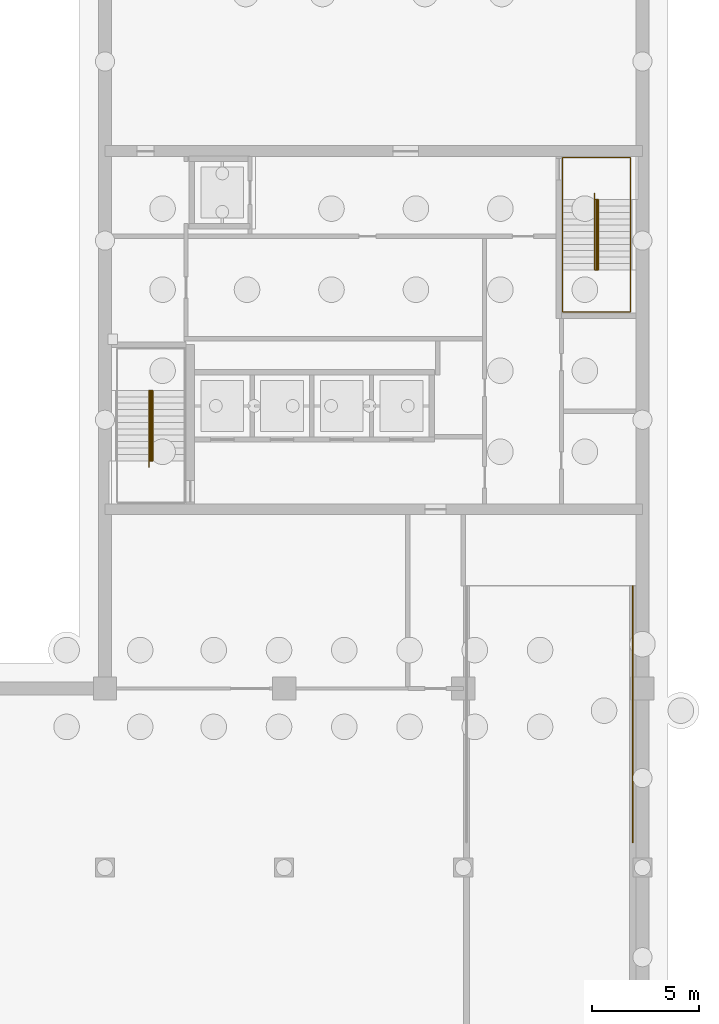
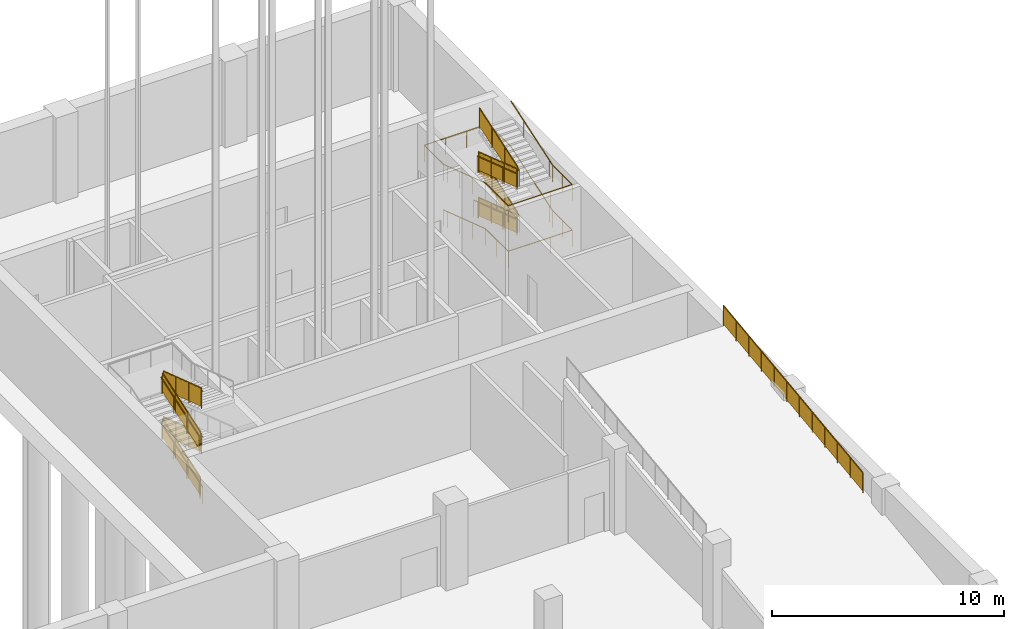
# One storey, part 24 of 26: 12 railings.
"""IFC4 building model written with IfcOpenShell, lengths in metres."""

from ifc_helpers import new_model, si_unit, direction, frame, origin, origin_2d, place, context, subcontext, project, spatial, polyline, circle, outline, extrude, material, type_object, element, save


model = new_model("IFC4")

# Units and contexts
model_context = context("Model", 3, precision=1e-05, world=origin(), true_north=direction((0.0, 1.0)))
body_context = subcontext(model_context, "Body", "Model", "MODEL_VIEW")
ifc_project = project(units=[si_unit("LENGTHUNIT", "METRE"), si_unit("AREAUNIT", "SQUARE_METRE"), si_unit("VOLUMEUNIT", "CUBIC_METRE"), si_unit("PLANEANGLEUNIT", "RADIAN"), si_unit("MASSUNIT", "GRAM", prefix="KILO")], contexts=[model_context])

# Site, building, storey
site_placement = place(None, origin())
site = spatial("IfcSite", under=ifc_project, at=site_placement, CompositionType="ELEMENT")
building_placement = place(site_placement, origin())
building = spatial("IfcBuilding", under=site, at=building_placement, Name="Rulbaag Community and Learning Centre", CompositionType="ELEMENT")
storey_placement = place(building_placement, frame((0.0, 0.0, -9.60009765625)))
storey = spatial("IfcBuildingStorey", under=building, at=storey_placement, Name="B2", CompositionType="ELEMENT", Elevation=-9.60009765625)

# Railings
ifc_material_1 = material(Name="Galvanised mild steel", Category="steel")
railing_type_1 = type_object("IfcRailingType", Name="GR-1100 GUARD 1100", PredefinedType="GUARDRAIL", material=ifc_material_1)
railing_1_placement = place(storey_placement, frame((144.929931640625, 94.675048828125, 0.10009765625)))
element("IfcRailing", 1, at=railing_1_placement, inside=storey, type_object=railing_type_1, Name="Guard ST1 B2 G", PredefinedType="GUARDRAIL", context=body_context, shape_type="SweptSolid", body=[
    extrude(circle(Radius=0.02490234375, at=origin_2d()), frame((0.0, 0.0, 1.0751953125), z_axis=(0.0, 0.948676279423, 0.31624882112), x_axis=(-1.0, 0.0, 0.0)), (0.0, 0.0, 1.0), 3.478515625),
    extrude(circle(Radius=0.02001953125, at=origin_2d()), origin(), (0.0, 0.0, 1.0), 1.050048828125),
    extrude(circle(Radius=0.02001953125, at=origin_2d()), frame((0.0, 1.10009765625, 0.36669921875)), (0.0, 0.0, 1.0), 1.050048828125),
    extrude(circle(Radius=0.02001953125, at=origin_2d()), frame((0.0, 2.199951171875, 0.7333984375)), (0.0, 0.0, 1.0), 1.050048828125),
    extrude(circle(Radius=0.02001953125, at=origin_2d()), frame((0.0, 3.300048828125, 1.10009765625)), (0.0, 0.0, 1.0), 1.050048828125),
    extrude(outline(polyline([(0.0, 0.0), (3.300048828125, 1.10009765625), (3.300048828125, 2.050048828125), (0.0, 0.949951171875), (0.0, 0.0)])), frame((-0.0048828125, 0.0, 0.10009765625), z_axis=(1.0, 0.0, 0.0), x_axis=(0.0, 1.0, 0.0)), (0.0, 0.0, 1.0), 0.010009765625),
])
railing_2_placement = place(storey_placement, frame((144.969970703125, 97.97509765625, 1.300048828125)))
element("IfcRailing", 2, at=railing_2_placement, inside=storey, type_object=railing_type_1, Name="Guard ST1 B2 G2", PredefinedType="GUARDRAIL", context=body_context, shape_type="SweptSolid", body=[
    extrude(circle(Radius=0.02490234375, at=origin_2d()), frame((0.0, 0.0, 1.0751953125), z_axis=(0.0, -0.948676279423, 0.31624882112), x_axis=(1.0, 0.0, 0.0)), (0.0, 0.0, 1.0), 3.478515625),
    extrude(circle(Radius=0.02001953125, at=origin_2d()), origin(), (0.0, 0.0, 1.0), 1.050048828125),
    extrude(circle(Radius=0.02001953125, at=origin_2d()), frame((0.0, -1.10009765625, 0.36669921875)), (0.0, 0.0, 1.0), 1.050048828125),
    extrude(circle(Radius=0.02001953125, at=origin_2d()), frame((0.0, -2.199951171875, 0.7333984375)), (0.0, 0.0, 1.0), 1.050048828125),
    extrude(circle(Radius=0.02001953125, at=origin_2d()), frame((0.0, -3.300048828125, 1.10009765625)), (0.0, 0.0, 1.0), 1.050048828125),
    extrude(outline(polyline([(0.0, 0.0), (3.300048828125, 1.10009765625), (3.300048828125, 2.050048828125), (0.0, 0.949951171875), (0.0, 0.0)])), frame((0.0048828125, 0.0, 0.10009765625), z_axis=(-1.0, 0.0, 0.0), x_axis=(0.0, -1.0, 0.0)), (0.0, 0.0, 1.0), 0.010009765625),
])
railing_3_placement = place(storey_placement, frame((144.929931640625, 94.675048828125, 2.5)))
element("IfcRailing", 3, at=railing_3_placement, inside=storey, type_object=railing_type_1, Name="Guard ST1 B2 G3", PredefinedType="GUARDRAIL", context=body_context, shape_type="SweptSolid", body=[
    extrude(circle(Radius=0.02490234375, at=origin_2d()), frame((0.0, 0.0, 1.0751953125), z_axis=(0.0, 0.948676279423, 0.31624882112), x_axis=(-1.0, 0.0, 0.0)), (0.0, 0.0, 1.0), 3.478515625),
    extrude(circle(Radius=0.02001953125, at=origin_2d()), origin(), (0.0, 0.0, 1.0), 1.050048828125),
    extrude(circle(Radius=0.02001953125, at=origin_2d()), frame((0.0, 1.10009765625, 0.36669921875)), (0.0, 0.0, 1.0), 1.050048828125),
    extrude(circle(Radius=0.02001953125, at=origin_2d()), frame((0.0, 2.199951171875, 0.7333984375)), (0.0, 0.0, 1.0), 1.050048828125),
    extrude(circle(Radius=0.02001953125, at=origin_2d()), frame((0.0, 3.300048828125, 1.10009765625)), (0.0, 0.0, 1.0), 1.050048828125),
    extrude(outline(polyline([(0.0, 0.0), (3.300048828125, 1.10009765625), (3.300048828125, 2.050048828125), (0.0, 0.949951171875), (0.0, 0.0)])), frame((-0.0048828125, 0.0, 0.10009765625), z_axis=(1.0, 0.0, 0.0), x_axis=(0.0, 1.0, 0.0)), (0.0, 0.0, 1.0), 0.010009765625),
])
railing_4_placement = place(storey_placement, frame((144.969970703125, 97.97509765625, 3.7001953125)))
element("IfcRailing", 4, at=railing_4_placement, inside=storey, type_object=railing_type_1, Name="Guard ST1 B2 G4", PredefinedType="GUARDRAIL", context=body_context, shape_type="SweptSolid", body=[
    extrude(circle(Radius=0.02490234375, at=origin_2d()), frame((0.0, 0.0, 1.0751953125), z_axis=(0.0, -0.948697334215, 0.316185654408), x_axis=(1.0, 0.0, 0.0)), (0.0, 0.0, 1.0), 3.478515625),
    extrude(circle(Radius=0.02001953125, at=origin_2d()), origin(), (0.0, 0.0, 1.0), 1.050048828125),
    extrude(circle(Radius=0.02001953125, at=origin_2d()), frame((0.0, -1.10009765625, 0.36669921875)), (0.0, 0.0, 1.0), 1.050048828125),
    extrude(circle(Radius=0.02001953125, at=origin_2d()), frame((0.0, -2.199951171875, 0.733154296875)), (0.0, 0.0, 1.0), 1.050048828125),
    extrude(circle(Radius=0.02001953125, at=origin_2d()), frame((0.0, -3.300048828125, 1.099853515625)), (0.0, 0.0, 1.0), 1.050048828125),
    extrude(outline(polyline([(0.0, 0.0), (3.300048828125, 1.099853515625), (3.300048828125, 2.0498046875), (0.0, 0.949951171875), (0.0, 0.0)])), frame((0.0048828125, 0.0, 0.10009765625), z_axis=(-1.0, 0.0, 0.0), x_axis=(0.0, -1.0, 0.0)), (0.0, 0.0, 1.0), 0.010009765625),
])
railing_5_placement = place(storey_placement, frame((165.830078125, 106.925048828125, 0.10009765625)))
element("IfcRailing", 5, at=railing_5_placement, inside=storey, type_object=railing_type_1, Name="Guard ST2 B2 G", PredefinedType="GUARDRAIL", context=body_context, shape_type="SweptSolid", body=[
    extrude(circle(Radius=0.02490234375, at=origin_2d()), frame((0.0, 0.0, 1.0751953125), z_axis=(0.0, -0.948676279423, 0.31624882112), x_axis=(1.0, 0.0, 0.0)), (0.0, 0.0, 1.0), 3.478515625),
    extrude(circle(Radius=0.02001953125, at=origin_2d()), origin(), (0.0, 0.0, 1.0), 1.050048828125),
    extrude(circle(Radius=0.02001953125, at=origin_2d()), frame((0.0, -1.10009765625, 0.36669921875)), (0.0, 0.0, 1.0), 1.050048828125),
    extrude(circle(Radius=0.02001953125, at=origin_2d()), frame((0.0, -2.199951171875, 0.7333984375)), (0.0, 0.0, 1.0), 1.050048828125),
    extrude(circle(Radius=0.02001953125, at=origin_2d()), frame((0.0, -3.300048828125, 1.10009765625)), (0.0, 0.0, 1.0), 1.050048828125),
    extrude(outline(polyline([(0.0, 0.0), (3.300048828125, 1.10009765625), (3.300048828125, 2.050048828125), (0.0, 0.949951171875), (0.0, 0.0)])), frame((0.0048828125, 0.0, 0.10009765625), z_axis=(-1.0, 0.0, 0.0), x_axis=(0.0, -1.0, 0.0)), (0.0, 0.0, 1.0), 0.010009765625),
])
railing_6_placement = place(storey_placement, frame((165.8701171875, 103.625, 1.300048828125)))
element("IfcRailing", 6, at=railing_6_placement, inside=storey, type_object=railing_type_1, Name="Guard ST2 B2 G2", PredefinedType="GUARDRAIL", context=body_context, shape_type="SweptSolid", body=[
    extrude(circle(Radius=0.02490234375, at=origin_2d()), frame((0.0, 0.0, 1.0751953125), z_axis=(0.0, 0.948676279423, 0.31624882112), x_axis=(-1.0, 0.0, 0.0)), (0.0, 0.0, 1.0), 3.478515625),
    extrude(circle(Radius=0.02001953125, at=origin_2d()), origin(), (0.0, 0.0, 1.0), 1.050048828125),
    extrude(circle(Radius=0.02001953125, at=origin_2d()), frame((0.0, 1.10009765625, 0.36669921875)), (0.0, 0.0, 1.0), 1.050048828125),
    extrude(circle(Radius=0.02001953125, at=origin_2d()), frame((0.0, 2.199951171875, 0.7333984375)), (0.0, 0.0, 1.0), 1.050048828125),
    extrude(circle(Radius=0.02001953125, at=origin_2d()), frame((0.0, 3.300048828125, 1.10009765625)), (0.0, 0.0, 1.0), 1.050048828125),
    extrude(outline(polyline([(0.0, 0.0), (3.300048828125, 1.10009765625), (3.300048828125, 2.050048828125), (0.0, 0.949951171875), (0.0, 0.0)])), frame((-0.0048828125, 0.0, 0.10009765625), z_axis=(1.0, 0.0, 0.0), x_axis=(0.0, 1.0, 0.0)), (0.0, 0.0, 1.0), 0.010009765625),
])
railing_7_placement = place(storey_placement, frame((165.830078125, 106.925048828125, 2.5)))
element("IfcRailing", 7, at=railing_7_placement, inside=storey, type_object=railing_type_1, Name="Guard ST2 B2 G3", PredefinedType="GUARDRAIL", context=body_context, shape_type="SweptSolid", body=[
    extrude(circle(Radius=0.02490234375, at=origin_2d()), frame((0.0, 0.0, 1.0751953125), z_axis=(0.0, -0.948676279423, 0.31624882112), x_axis=(1.0, 0.0, 0.0)), (0.0, 0.0, 1.0), 3.478515625),
    extrude(circle(Radius=0.02001953125, at=origin_2d()), origin(), (0.0, 0.0, 1.0), 1.050048828125),
    extrude(circle(Radius=0.02001953125, at=origin_2d()), frame((0.0, -1.10009765625, 0.36669921875)), (0.0, 0.0, 1.0), 1.050048828125),
    extrude(circle(Radius=0.02001953125, at=origin_2d()), frame((0.0, -2.199951171875, 0.7333984375)), (0.0, 0.0, 1.0), 1.050048828125),
    extrude(circle(Radius=0.02001953125, at=origin_2d()), frame((0.0, -3.300048828125, 1.10009765625)), (0.0, 0.0, 1.0), 1.050048828125),
    extrude(outline(polyline([(0.0, 0.0), (3.300048828125, 1.10009765625), (3.300048828125, 2.050048828125), (0.0, 0.949951171875), (0.0, 0.0)])), frame((0.0048828125, 0.0, 0.10009765625), z_axis=(-1.0, 0.0, 0.0), x_axis=(0.0, -1.0, 0.0)), (0.0, 0.0, 1.0), 0.010009765625),
])
railing_8_placement = place(storey_placement, frame((165.8701171875, 103.625, 3.7001953125)))
element("IfcRailing", 8, at=railing_8_placement, inside=storey, type_object=railing_type_1, Name="Guard ST2 B2 G4", PredefinedType="GUARDRAIL", context=body_context, shape_type="SweptSolid", body=[
    extrude(circle(Radius=0.02490234375, at=origin_2d()), frame((0.0, 0.0, 1.0751953125), z_axis=(0.0, 0.948697334215, 0.316185654408), x_axis=(-1.0, 0.0, 0.0)), (0.0, 0.0, 1.0), 3.478515625),
    extrude(circle(Radius=0.02001953125, at=origin_2d()), origin(), (0.0, 0.0, 1.0), 1.050048828125),
    extrude(circle(Radius=0.02001953125, at=origin_2d()), frame((0.0, 1.10009765625, 0.36669921875)), (0.0, 0.0, 1.0), 1.050048828125),
    extrude(circle(Radius=0.02001953125, at=origin_2d()), frame((0.0, 2.199951171875, 0.733154296875)), (0.0, 0.0, 1.0), 1.050048828125),
    extrude(circle(Radius=0.02001953125, at=origin_2d()), frame((0.0, 3.300048828125, 1.099853515625)), (0.0, 0.0, 1.0), 1.050048828125),
    extrude(outline(polyline([(0.0, 0.0), (3.300048828125, 1.099853515625), (3.300048828125, 2.0498046875), (0.0, 0.949951171875), (0.0, 0.0)])), frame((-0.0048828125, 0.0, 0.10009765625), z_axis=(1.0, 0.0, 0.0), x_axis=(0.0, 1.0, 0.0)), (0.0, 0.0, 1.0), 0.010009765625),
])
ifc_material_2 = material(Name="Stainless steel grade 316", Category="steel")
railing_type_2 = type_object("IfcRailingType", Name="HR-900 HANDRAIL 900", PredefinedType="HANDRAIL", material=ifc_material_2)
railing_9_placement = place(storey_placement, frame((144.860107421875, 94.375, 0.0)))
element("IfcRailing", 9, at=railing_9_placement, inside=storey, type_object=railing_type_2, Name="Handrail ST1 B2 I", PredefinedType="HANDRAIL", context=body_context, shape_type="SweptSolid", body=[
    extrude(circle(Radius=0.024169921875, at=origin_2d()), frame((0.0, 0.0, 0.875732421875), z_axis=(0.0, 0.948606084593, 0.316459312191), x_axis=(-1.0, 0.0, 0.0)), (0.0, 0.0, 1.0), 0.31640625),
    extrude(circle(Radius=0.024169921875, at=origin_2d()), frame((0.0, 0.300048828125, 0.975830078125), z_axis=(0.0, 0.948676279423, 0.31624882112), x_axis=(-1.0, 0.0, 0.0)), (0.0, 0.0, 1.0), 3.478515625),
    extrude(circle(Radius=0.024169921875, at=origin_2d()), frame((0.0, 3.60009765625, 2.075927734375), z_axis=(0.874381033399, 0.0, 0.485239949336), x_axis=(0.0, 1.0, 0.0)), (0.0, 0.0, 1.0), 0.205810546875),
    extrude(circle(Radius=0.024169921875, at=origin_2d()), frame((0.179931640625, 3.60009765625, 2.17578125), z_axis=(0.0, -0.948676279423, 0.31624882112), x_axis=(1.0, 0.0, 0.0)), (0.0, 0.0, 1.0), 3.478515625),
    extrude(circle(Radius=0.024169921875, at=origin_2d()), frame((0.179931640625, 0.300048828125, 3.27587890625), z_axis=(-0.874381033399, 0.0, 0.485239949336), x_axis=(0.0, -1.0, 0.0)), (0.0, 0.0, 1.0), 0.205810546875),
    extrude(circle(Radius=0.024169921875, at=origin_2d()), frame((0.0, 0.300048828125, 3.375732421875), z_axis=(0.0, 0.948676279423, 0.31624882112), x_axis=(-1.0, 0.0, 0.0)), (0.0, 0.0, 1.0), 3.478515625),
    extrude(circle(Radius=0.024169921875, at=origin_2d()), frame((0.0, 3.60009765625, 4.475830078125), z_axis=(0.873877479659, 0.0, 0.486146223419), x_axis=(0.0, 1.0, 0.0)), (0.0, 0.0, 1.0), 0.205810546875),
    extrude(circle(Radius=0.024169921875, at=origin_2d()), frame((0.179931640625, 3.60009765625, 4.575927734375), z_axis=(0.0, -0.948697334215, 0.316185654408), x_axis=(1.0, 0.0, 0.0)), (0.0, 0.0, 1.0), 3.478515625),
    extrude(circle(Radius=0.008056640625, at=origin_2d()), origin(), (0.0, 0.0, 1.0), 0.8515625),
    extrude(circle(Radius=0.008056640625, at=origin_2d()), frame((0.0, 0.300048828125, 0.10009765625)), (0.0, 0.0, 1.0), 0.8515625),
    extrude(circle(Radius=0.008056640625, at=origin_2d()), frame((0.0, 1.400146484375, 0.466796875)), (0.0, 0.0, 1.0), 0.8515625),
    extrude(circle(Radius=0.008056640625, at=origin_2d()), frame((0.0, 2.5, 0.83349609375)), (0.0, 0.0, 1.0), 0.8515625),
    extrude(circle(Radius=0.008056640625, at=origin_2d()), frame((0.0, 3.60009765625, 1.2001953125)), (0.0, 0.0, 1.0), 0.8515625),
    extrude(circle(Radius=0.008056640625, at=origin_2d()), frame((0.179931640625, 3.60009765625, 1.300048828125)), (0.0, 0.0, 1.0), 0.8515625),
    extrude(circle(Radius=0.008056640625, at=origin_2d()), frame((0.179931640625, 2.5, 1.666748046875)), (0.0, 0.0, 1.0), 0.8515625),
    extrude(circle(Radius=0.008056640625, at=origin_2d()), frame((0.179931640625, 1.400146484375, 2.033447265625)), (0.0, 0.0, 1.0), 0.8515625),
    extrude(circle(Radius=0.008056640625, at=origin_2d()), frame((0.179931640625, 0.300048828125, 2.400146484375)), (0.0, 0.0, 1.0), 0.8515625),
    extrude(circle(Radius=0.008056640625, at=origin_2d()), frame((0.0, 0.300048828125, 2.5)), (0.0, 0.0, 1.0), 0.8515625),
    extrude(circle(Radius=0.008056640625, at=origin_2d()), frame((0.0, 1.400146484375, 2.86669921875)), (0.0, 0.0, 1.0), 0.8515625),
    extrude(circle(Radius=0.008056640625, at=origin_2d()), frame((0.0, 2.5, 3.2333984375)), (0.0, 0.0, 1.0), 0.8515625),
    extrude(circle(Radius=0.008056640625, at=origin_2d()), frame((0.0, 3.60009765625, 3.60009765625)), (0.0, 0.0, 1.0), 0.8515625),
    extrude(circle(Radius=0.008056640625, at=origin_2d()), frame((0.179931640625, 3.60009765625, 3.7001953125)), (0.0, 0.0, 1.0), 0.8515625),
    extrude(circle(Radius=0.008056640625, at=origin_2d()), frame((0.179931640625, 2.5, 4.06689453125)), (0.0, 0.0, 1.0), 0.8515625),
    extrude(circle(Radius=0.008056640625, at=origin_2d()), frame((0.179931640625, 1.400146484375, 4.433349609375)), (0.0, 0.0, 1.0), 0.8515625),
    extrude(circle(Radius=0.008056640625, at=origin_2d()), frame((0.179931640625, 0.300048828125, 4.800048828125)), (0.0, 0.0, 1.0), 0.8515625),
])
railing_10_placement = place(storey_placement, frame((164.260009765625, 107.22509765625, 0.0)))
element("IfcRailing", 10, at=railing_10_placement, inside=storey, type_object=railing_type_2, Name="Handrail ST2 B2 O", PredefinedType="HANDRAIL", context=body_context, shape_type="SweptSolid", body=[
    extrude(circle(Radius=0.024169921875, at=origin_2d()), frame((0.0, 0.0, 0.875732421875), z_axis=(0.0, -0.948606084593, 0.316459312191), x_axis=(1.0, 0.0, 0.0)), (0.0, 0.0, 1.0), 0.31640625),
    extrude(circle(Radius=0.024169921875, at=origin_2d()), frame((0.0, -0.300048828125, 0.975830078125), z_axis=(0.0, -0.948676279423, 0.31624882112), x_axis=(1.0, 0.0, 0.0)), (0.0, 0.0, 1.0), 3.478515625),
    extrude(circle(Radius=0.024169921875, at=origin_2d()), frame((0.0, -3.60009765625, 2.075927734375), z_axis=(0.0, -1.0, 0.0), x_axis=(1.0, 0.0, 0.0)), (0.0, 0.0, 1.0), 1.965087890625),
    extrude(circle(Radius=0.024169921875, at=origin_2d()), frame((0.0, -5.565185546875, 2.075927734375), z_axis=(1.0, 0.0, 0.0), x_axis=(0.0, 1.0, 0.0)), (0.0, 0.0, 1.0), 3.179931640625),
    extrude(circle(Radius=0.024169921875, at=origin_2d()), frame((3.179931640625, -5.565185546875, 2.075927734375), z_axis=(0.0, 1.0, 0.0), x_axis=(-1.0, 0.0, 0.0)), (0.0, 0.0, 1.0), 1.6650390625),
    extrude(circle(Radius=0.024169921875, at=origin_2d()), frame((3.179931640625, -3.900146484375, 2.075927734375), z_axis=(0.0, 0.948837593029, 0.315764504108), x_axis=(-1.0, 0.0, 0.0)), (0.0, 0.0, 1.0), 0.316162109375),
    extrude(circle(Radius=0.024169921875, at=origin_2d()), frame((3.179931640625, -3.60009765625, 2.17578125), z_axis=(0.0, 0.948676279423, 0.31624882112), x_axis=(-1.0, 0.0, 0.0)), (0.0, 0.0, 1.0), 3.478515625),
    extrude(circle(Radius=0.024169921875, at=origin_2d()), frame((3.179931640625, -0.300048828125, 3.27587890625), z_axis=(0.0, 1.0, 0.0), x_axis=(-1.0, 0.0, 0.0)), (0.0, 0.0, 1.0), 1.96484375),
    extrude(circle(Radius=0.024169921875, at=origin_2d()), frame((3.179931640625, 1.664794921875, 3.27587890625), z_axis=(-1.0, 0.0, 0.0), x_axis=(0.0, -1.0, 0.0)), (0.0, 0.0, 1.0), 3.179931640625),
    extrude(circle(Radius=0.024169921875, at=origin_2d()), frame((0.0, 1.664794921875, 3.27587890625), z_axis=(0.0, -1.0, 0.0), x_axis=(1.0, 0.0, 0.0)), (0.0, 0.0, 1.0), 1.664794921875),
    extrude(circle(Radius=0.024169921875, at=origin_2d()), frame((0.0, 0.0, 3.27587890625), z_axis=(0.0, -0.948837593029, 0.315764504108), x_axis=(1.0, 0.0, 0.0)), (0.0, 0.0, 1.0), 0.316162109375),
    extrude(circle(Radius=0.024169921875, at=origin_2d()), frame((0.0, -0.300048828125, 3.375732421875), z_axis=(0.0, -0.948676279423, 0.31624882112), x_axis=(1.0, 0.0, 0.0)), (0.0, 0.0, 1.0), 3.478515625),
    extrude(circle(Radius=0.024169921875, at=origin_2d()), frame((0.0, -3.60009765625, 4.475830078125), z_axis=(0.0, -1.0, 0.0), x_axis=(1.0, 0.0, 0.0)), (0.0, 0.0, 1.0), 1.965087890625),
    extrude(circle(Radius=0.024169921875, at=origin_2d()), frame((0.0, -5.565185546875, 4.475830078125), z_axis=(1.0, 0.0, 0.0), x_axis=(0.0, 1.0, 0.0)), (0.0, 0.0, 1.0), 3.179931640625),
    extrude(circle(Radius=0.024169921875, at=origin_2d()), frame((3.179931640625, -5.565185546875, 4.475830078125), z_axis=(0.0, 1.0, 0.0), x_axis=(-1.0, 0.0, 0.0)), (0.0, 0.0, 1.0), 1.6650390625),
    extrude(circle(Radius=0.024169921875, at=origin_2d()), frame((3.179931640625, -3.900146484375, 4.475830078125), z_axis=(0.0, 0.948606084593, 0.316459312191), x_axis=(-1.0, 0.0, 0.0)), (0.0, 0.0, 1.0), 0.31640625),
    extrude(circle(Radius=0.024169921875, at=origin_2d()), frame((3.179931640625, -3.60009765625, 4.575927734375), z_axis=(0.0, 0.948697334215, 0.316185654408), x_axis=(-1.0, 0.0, 0.0)), (0.0, 0.0, 1.0), 3.478515625),
    extrude(circle(Radius=0.008056640625, at=origin_2d()), origin(), (0.0, 0.0, 1.0), 0.8515625),
    extrude(circle(Radius=0.008056640625, at=origin_2d()), frame((0.0, -0.300048828125, 0.10009765625)), (0.0, 0.0, 1.0), 0.8515625),
    extrude(circle(Radius=0.008056640625, at=origin_2d()), frame((0.0, -1.400146484375, 0.466796875)), (0.0, 0.0, 1.0), 0.8515625),
    extrude(circle(Radius=0.008056640625, at=origin_2d()), frame((0.0, -2.5, 0.83349609375)), (0.0, 0.0, 1.0), 0.8515625),
    extrude(circle(Radius=0.008056640625, at=origin_2d()), frame((0.0, -3.60009765625, 1.2001953125)), (0.0, 0.0, 1.0), 0.8515625),
    extrude(circle(Radius=0.008056640625, at=origin_2d()), frame((0.0, -4.58251953125, 1.2001953125)), (0.0, 0.0, 1.0), 0.8515625),
    extrude(circle(Radius=0.008056640625, at=origin_2d()), frame((0.0, -5.565185546875, 1.2001953125)), (0.0, 0.0, 1.0), 0.8515625),
    extrude(circle(Radius=0.008056640625, at=origin_2d()), frame((1.06005859375, -5.565185546875, 1.2001953125)), (0.0, 0.0, 1.0), 0.8515625),
    extrude(circle(Radius=0.008056640625, at=origin_2d()), frame((2.119873046875, -5.565185546875, 1.2001953125)), (0.0, 0.0, 1.0), 0.8515625),
    extrude(circle(Radius=0.008056640625, at=origin_2d()), frame((3.179931640625, -5.565185546875, 1.2001953125)), (0.0, 0.0, 1.0), 0.8515625),
    extrude(circle(Radius=0.008056640625, at=origin_2d()), frame((3.179931640625, -4.732666015625, 1.2001953125)), (0.0, 0.0, 1.0), 0.8515625),
    extrude(circle(Radius=0.008056640625, at=origin_2d()), frame((3.179931640625, -3.900146484375, 1.2001953125)), (0.0, 0.0, 1.0), 0.8515625),
    extrude(circle(Radius=0.008056640625, at=origin_2d()), frame((3.179931640625, -3.60009765625, 1.300048828125)), (0.0, 0.0, 1.0), 0.8515625),
    extrude(circle(Radius=0.008056640625, at=origin_2d()), frame((3.179931640625, -2.5, 1.666748046875)), (0.0, 0.0, 1.0), 0.8515625),
    extrude(circle(Radius=0.008056640625, at=origin_2d()), frame((3.179931640625, -1.400146484375, 2.033447265625)), (0.0, 0.0, 1.0), 0.8515625),
    extrude(circle(Radius=0.008056640625, at=origin_2d()), frame((3.179931640625, -0.300048828125, 2.400146484375)), (0.0, 0.0, 1.0), 0.8515625),
    extrude(circle(Radius=0.008056640625, at=origin_2d()), frame((3.179931640625, 0.682373046875, 2.400146484375)), (0.0, 0.0, 1.0), 0.8515625),
    extrude(circle(Radius=0.008056640625, at=origin_2d()), frame((3.179931640625, 1.664794921875, 2.400146484375)), (0.0, 0.0, 1.0), 0.8515625),
    extrude(circle(Radius=0.008056640625, at=origin_2d()), frame((2.119873046875, 1.664794921875, 2.400146484375)), (0.0, 0.0, 1.0), 0.8515625),
    extrude(circle(Radius=0.008056640625, at=origin_2d()), frame((1.06005859375, 1.664794921875, 2.400146484375)), (0.0, 0.0, 1.0), 0.8515625),
    extrude(circle(Radius=0.008056640625, at=origin_2d()), frame((0.0, 1.664794921875, 2.400146484375)), (0.0, 0.0, 1.0), 0.8515625),
    extrude(circle(Radius=0.008056640625, at=origin_2d()), frame((0.0, 0.83251953125, 2.400146484375)), (0.0, 0.0, 1.0), 0.8515625),
    extrude(circle(Radius=0.008056640625, at=origin_2d()), frame((0.0, 0.0, 2.400146484375)), (0.0, 0.0, 1.0), 0.8515625),
    extrude(circle(Radius=0.008056640625, at=origin_2d()), frame((0.0, -0.300048828125, 2.5)), (0.0, 0.0, 1.0), 0.8515625),
    extrude(circle(Radius=0.008056640625, at=origin_2d()), frame((0.0, -1.400146484375, 2.86669921875)), (0.0, 0.0, 1.0), 0.8515625),
    extrude(circle(Radius=0.008056640625, at=origin_2d()), frame((0.0, -2.5, 3.2333984375)), (0.0, 0.0, 1.0), 0.8515625),
    extrude(circle(Radius=0.008056640625, at=origin_2d()), frame((0.0, -3.60009765625, 3.60009765625)), (0.0, 0.0, 1.0), 0.8515625),
    extrude(circle(Radius=0.008056640625, at=origin_2d()), frame((0.0, -4.58251953125, 3.60009765625)), (0.0, 0.0, 1.0), 0.8515625),
    extrude(circle(Radius=0.008056640625, at=origin_2d()), frame((0.0, -5.565185546875, 3.60009765625)), (0.0, 0.0, 1.0), 0.8515625),
    extrude(circle(Radius=0.008056640625, at=origin_2d()), frame((1.06005859375, -5.565185546875, 3.60009765625)), (0.0, 0.0, 1.0), 0.8515625),
    extrude(circle(Radius=0.008056640625, at=origin_2d()), frame((2.119873046875, -5.565185546875, 3.60009765625)), (0.0, 0.0, 1.0), 0.8515625),
    extrude(circle(Radius=0.008056640625, at=origin_2d()), frame((3.179931640625, -5.565185546875, 3.60009765625)), (0.0, 0.0, 1.0), 0.8515625),
    extrude(circle(Radius=0.008056640625, at=origin_2d()), frame((3.179931640625, -4.732666015625, 3.60009765625)), (0.0, 0.0, 1.0), 0.8515625),
    extrude(circle(Radius=0.008056640625, at=origin_2d()), frame((3.179931640625, -3.900146484375, 3.60009765625)), (0.0, 0.0, 1.0), 0.8515625),
    extrude(circle(Radius=0.008056640625, at=origin_2d()), frame((3.179931640625, -3.60009765625, 3.7001953125)), (0.0, 0.0, 1.0), 0.8515625),
    extrude(circle(Radius=0.008056640625, at=origin_2d()), frame((3.179931640625, -2.5, 4.06689453125)), (0.0, 0.0, 1.0), 0.8515625),
    extrude(circle(Radius=0.008056640625, at=origin_2d()), frame((3.179931640625, -1.400146484375, 4.433349609375)), (0.0, 0.0, 1.0), 0.8515625),
    extrude(circle(Radius=0.008056640625, at=origin_2d()), frame((3.179931640625, -0.300048828125, 4.800048828125)), (0.0, 0.0, 1.0), 0.8515625),
])
railing_11_placement = place(storey_placement, frame((165.760009765625, 107.22509765625, 0.0)))
element("IfcRailing", 11, at=railing_11_placement, inside=storey, type_object=railing_type_2, Name="Handrail ST2 B2 I", PredefinedType="HANDRAIL", context=body_context, shape_type="SweptSolid", body=[
    extrude(circle(Radius=0.024169921875, at=origin_2d()), frame((0.0, 0.0, 0.875732421875), z_axis=(0.0, -0.948606084593, 0.316459312191), x_axis=(1.0, 0.0, 0.0)), (0.0, 0.0, 1.0), 0.31640625),
    extrude(circle(Radius=0.024169921875, at=origin_2d()), frame((0.0, -0.300048828125, 0.975830078125), z_axis=(0.0, -0.948676279423, 0.31624882112), x_axis=(1.0, 0.0, 0.0)), (0.0, 0.0, 1.0), 3.478515625),
    extrude(circle(Radius=0.024169921875, at=origin_2d()), frame((0.0, -3.60009765625, 2.075927734375), z_axis=(0.874381033399, 0.0, 0.485239949336), x_axis=(0.0, 1.0, 0.0)), (0.0, 0.0, 1.0), 0.205810546875),
    extrude(circle(Radius=0.024169921875, at=origin_2d()), frame((0.179931640625, -3.60009765625, 2.17578125), z_axis=(0.0, 0.948676279423, 0.31624882112), x_axis=(-1.0, 0.0, 0.0)), (0.0, 0.0, 1.0), 3.478515625),
    extrude(circle(Radius=0.024169921875, at=origin_2d()), frame((0.179931640625, -0.300048828125, 3.27587890625), z_axis=(-0.874381033399, 0.0, 0.485239949336), x_axis=(0.0, -1.0, 0.0)), (0.0, 0.0, 1.0), 0.205810546875),
    extrude(circle(Radius=0.024169921875, at=origin_2d()), frame((0.0, -0.300048828125, 3.375732421875), z_axis=(0.0, -0.948676279423, 0.31624882112), x_axis=(1.0, 0.0, 0.0)), (0.0, 0.0, 1.0), 3.478515625),
    extrude(circle(Radius=0.024169921875, at=origin_2d()), frame((0.0, -3.60009765625, 4.475830078125), z_axis=(0.873877479659, 0.0, 0.486146223419), x_axis=(0.0, 1.0, 0.0)), (0.0, 0.0, 1.0), 0.205810546875),
    extrude(circle(Radius=0.024169921875, at=origin_2d()), frame((0.179931640625, -3.60009765625, 4.575927734375), z_axis=(0.0, 0.948697334215, 0.316185654408), x_axis=(-1.0, 0.0, 0.0)), (0.0, 0.0, 1.0), 3.478515625),
    extrude(circle(Radius=0.008056640625, at=origin_2d()), origin(), (0.0, 0.0, 1.0), 0.8515625),
    extrude(circle(Radius=0.008056640625, at=origin_2d()), frame((0.0, -0.300048828125, 0.10009765625)), (0.0, 0.0, 1.0), 0.8515625),
    extrude(circle(Radius=0.008056640625, at=origin_2d()), frame((0.0, -1.400146484375, 0.466796875)), (0.0, 0.0, 1.0), 0.8515625),
    extrude(circle(Radius=0.008056640625, at=origin_2d()), frame((0.0, -2.5, 0.83349609375)), (0.0, 0.0, 1.0), 0.8515625),
    extrude(circle(Radius=0.008056640625, at=origin_2d()), frame((0.0, -3.60009765625, 1.2001953125)), (0.0, 0.0, 1.0), 0.8515625),
    extrude(circle(Radius=0.008056640625, at=origin_2d()), frame((0.179931640625, -3.60009765625, 1.300048828125)), (0.0, 0.0, 1.0), 0.8515625),
    extrude(circle(Radius=0.008056640625, at=origin_2d()), frame((0.179931640625, -2.5, 1.666748046875)), (0.0, 0.0, 1.0), 0.8515625),
    extrude(circle(Radius=0.008056640625, at=origin_2d()), frame((0.179931640625, -1.400146484375, 2.033447265625)), (0.0, 0.0, 1.0), 0.8515625),
    extrude(circle(Radius=0.008056640625, at=origin_2d()), frame((0.179931640625, -0.300048828125, 2.400146484375)), (0.0, 0.0, 1.0), 0.8515625),
    extrude(circle(Radius=0.008056640625, at=origin_2d()), frame((0.0, -0.300048828125, 2.5)), (0.0, 0.0, 1.0), 0.8515625),
    extrude(circle(Radius=0.008056640625, at=origin_2d()), frame((0.0, -1.400146484375, 2.86669921875)), (0.0, 0.0, 1.0), 0.8515625),
    extrude(circle(Radius=0.008056640625, at=origin_2d()), frame((0.0, -2.5, 3.2333984375)), (0.0, 0.0, 1.0), 0.8515625),
    extrude(circle(Radius=0.008056640625, at=origin_2d()), frame((0.0, -3.60009765625, 3.60009765625)), (0.0, 0.0, 1.0), 0.8515625),
    extrude(circle(Radius=0.008056640625, at=origin_2d()), frame((0.179931640625, -3.60009765625, 3.7001953125)), (0.0, 0.0, 1.0), 0.8515625),
    extrude(circle(Radius=0.008056640625, at=origin_2d()), frame((0.179931640625, -2.5, 4.06689453125)), (0.0, 0.0, 1.0), 0.8515625),
    extrude(circle(Radius=0.008056640625, at=origin_2d()), frame((0.179931640625, -1.400146484375, 4.433349609375)), (0.0, 0.0, 1.0), 0.8515625),
    extrude(circle(Radius=0.008056640625, at=origin_2d()), frame((0.179931640625, -0.300048828125, 4.800048828125)), (0.0, 0.0, 1.0), 0.8515625),
])
railing_type_3 = type_object("IfcRailingType", Name="RL-110", PredefinedType="GUARDRAIL", material=ifc_material_1)
railing_12_placement = place(storey_placement, frame((167.550048828125, 76.781982421875, 3.2978515625)))
element("IfcRailing", 12, at=railing_12_placement, inside=storey, type_object=railing_type_3, Name="Guard on ramp wall", PredefinedType="GUARDRAIL", context=body_context, shape_type="SweptSolid", body=[
    extrude(circle(Radius=0.02490234375, at=origin_2d()), frame((0.0, 0.0, 1.0751953125), z_axis=(0.0, 0.992278496935, 0.124029772714), x_axis=(-1.0, 0.0, 0.0)), (0.0, 0.0, 1.0), 12.111572265625),
    extrude(circle(Radius=0.02001953125, at=origin_2d()), origin(), (0.0, 0.0, 1.0), 1.050048828125),
    extrude(circle(Radius=0.02001953125, at=origin_2d()), frame((0.0, 1.092529296875, 0.136474609375)), (0.0, 0.0, 1.0), 1.050048828125),
    extrude(circle(Radius=0.02001953125, at=origin_2d()), frame((0.0, 2.18505859375, 0.273193359375)), (0.0, 0.0, 1.0), 1.050048828125),
    extrude(circle(Radius=0.02001953125, at=origin_2d()), frame((0.0, 3.277587890625, 0.40966796875)), (0.0, 0.0, 1.0), 1.050048828125),
    extrude(circle(Radius=0.02001953125, at=origin_2d()), frame((0.0, 4.3701171875, 0.546142578125)), (0.0, 0.0, 1.0), 1.050048828125),
    extrude(circle(Radius=0.02001953125, at=origin_2d()), frame((0.0, 5.462646484375, 0.682861328125)), (0.0, 0.0, 1.0), 1.050048828125),
    extrude(circle(Radius=0.02001953125, at=origin_2d()), frame((0.0, 6.555419921875, 0.8193359375)), (0.0, 0.0, 1.0), 1.050048828125),
    extrude(circle(Radius=0.02001953125, at=origin_2d()), frame((0.0, 7.64794921875, 0.9560546875)), (0.0, 0.0, 1.0), 1.050048828125),
    extrude(circle(Radius=0.02001953125, at=origin_2d()), frame((0.0, 8.740478515625, 1.092529296875)), (0.0, 0.0, 1.0), 1.050048828125),
    extrude(circle(Radius=0.02001953125, at=origin_2d()), frame((0.0, 9.8330078125, 1.22900390625)), (0.0, 0.0, 1.0), 1.050048828125),
    extrude(circle(Radius=0.02001953125, at=origin_2d()), frame((0.0, 10.925537109375, 1.36572265625)), (0.0, 0.0, 1.0), 1.050048828125),
    extrude(circle(Radius=0.02001953125, at=origin_2d()), frame((0.0, 12.01806640625, 1.502197265625)), (0.0, 0.0, 1.0), 1.050048828125),
    extrude(outline(polyline([(0.0, 0.0), (12.01806640625, 1.502197265625), (12.01806640625, 2.4521484375), (0.0, 0.949951171875), (0.0, 0.0)])), frame((-0.0048828125, 0.0, 0.10009765625), z_axis=(1.0, 0.0, 0.0), x_axis=(0.0, 1.0, 0.0)), (0.0, 0.0, 1.0), 0.010009765625),
])

save(model, "model.ifc")
